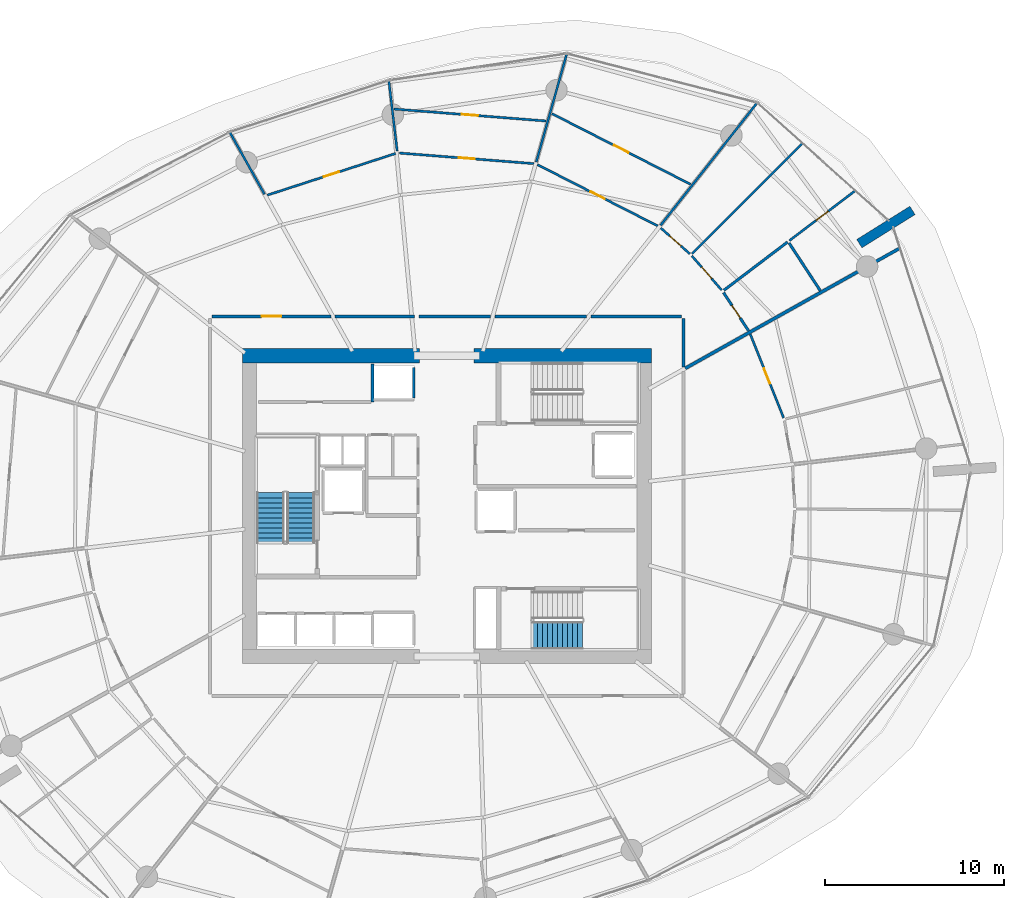
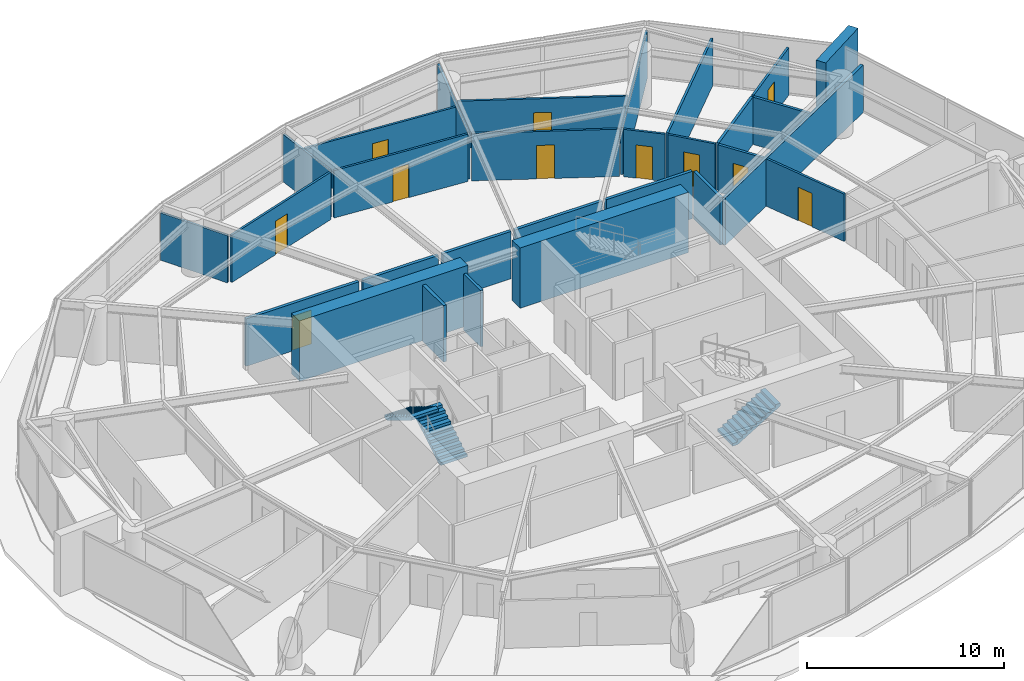
# One storey, part 15 of 17: 29 walls, 11 doors, 3 stair flights, 11 openings, 2 elements without a shape of their own.
"""IFC4 building model written with IfcOpenShell, lengths in metres."""

from ifc_helpers import new_model, si_unit, direction, frame, frame_2d, origin, place, context, subcontext, project, spatial, polyline, rectangle, outline, extrude, material, layer, layer_set, type_object, element, fill, aggregate, save


model = new_model("IFC4")

# Units and contexts
model_context = context("Model", 3, precision=1e-05, world=origin(), true_north=direction((0.0, 1.0)))
body_context = subcontext(model_context, "Body", "Model", "MODEL_VIEW")
ifc_project = project(units=[si_unit("LENGTHUNIT", "METRE"), si_unit("AREAUNIT", "SQUARE_METRE"), si_unit("VOLUMEUNIT", "CUBIC_METRE"), si_unit("PLANEANGLEUNIT", "RADIAN"), si_unit("MASSUNIT", "GRAM", prefix="KILO")], contexts=[model_context])

# Site, building, storey
site_placement = place(None, origin())
site = spatial("IfcSite", under=ifc_project, at=site_placement, CompositionType="ELEMENT")
building_placement = place(site_placement, origin())
building = spatial("IfcBuilding", under=site, at=building_placement, Name="Kazma Halo Residences", CompositionType="ELEMENT")
storey_placement = place(building_placement, frame((0.0, 0.0, 75.14990234375)))
storey = spatial("IfcBuildingStorey", under=building, at=storey_placement, Name="L18", CompositionType="ELEMENT", Elevation=75.14990234375)

# Walls
ifc_material_1 = material(Name="Pale Concrete C60/75", Category="concrete")
ifc_layer_1 = layer(ifc_material_1, 0.550048828125)
ifc_layer_set_1 = layer_set([ifc_layer_1], Name="Pale Concrete C60/75")
wall_type_1 = type_object("IfcWallType", Name="WL-BLADE-550", PredefinedType="SOLIDWALL", material=ifc_layer_set_1)
wall_1_placement = place(storey_placement, frame((71.468505859375, 56.664794921875, 0.0), z_axis=(0.0, 0.0, 1.0), x_axis=(0.848053161125, 0.529911158502, 0.0)))
element("IfcWall", 1, at=wall_1_placement, inside=storey, type_object=wall_type_1, Name="L18 pale concrete structural blade fin wall BW-01", PredefinedType="SOLIDWALL", context=body_context, shape_type="SweptSolid", body=[
    extrude(rectangle(XDim=3.5, YDim=0.550048828125, at=frame_2d((1.75, 0.0))), origin(), (0.0, 0.0, 1.0), 3.75),
])
ifc_material_2 = material(Name="Concrete C80/95", Category="concrete")
ifc_layer_2 = layer(ifc_material_2, 0.800048828125)
ifc_layer_set_2 = layer_set([ifc_layer_2], Name="Concrete C80/95")
wall_type_2 = type_object("IfcWallType", Name="WL-CORE-800", PredefinedType="SHEAR", material=ifc_layer_set_2)
wall_2_placement = place(storey_placement, frame((37.0, 50.39990234375, 0.0), z_axis=(0.0, 0.0, 1.0), x_axis=(1.0, 0.0, 0.0)))
element("IfcWall", 2, at=wall_2_placement, inside=storey, type_object=wall_type_2, Name="L18 central core shear wall NW", PredefinedType="SHEAR", context=body_context, shape_type="SweptSolid", body=[
    extrude(rectangle(XDim=9.89990234375, YDim=0.800048828125, at=frame_2d((4.949951171875, 0.0))), origin(), (0.0, 0.0, 1.0), 3.75),
])
wall_3_placement = place(storey_placement, frame((49.949951171875, 50.39990234375, 0.0), z_axis=(0.0, 0.0, 1.0), x_axis=(1.0, 0.0, 0.0)))
element("IfcWall", 3, at=wall_3_placement, inside=storey, type_object=wall_type_2, Name="L18 central core shear wall NE", PredefinedType="SHEAR", context=body_context, shape_type="SweptSolid", body=[
    extrude(rectangle(XDim=9.900146484375, YDim=0.800048828125, at=frame_2d((4.9501953125, 0.0))), origin(), (0.0, 0.0, 1.0), 3.75),
])
ifc_material_3 = material(Name="Acoustic Twin-Stud Gypsum")
ifc_layer_3 = layer(ifc_material_3, 0.179931640625)
ifc_layer_set_3 = layer_set([ifc_layer_3], Name="Acoustic Twin-Stud Gypsum")
wall_type_3 = type_object("IfcWallType", Name="WL-DEM-180", PredefinedType="PARTITIONING", material=ifc_layer_set_3)
wall_4_placement = place(storey_placement, frame((61.74609375, 49.697998046875, 0.0), z_axis=(0.0, 0.0, 1.0), x_axis=(0.872489938668, 0.488632077256, 0.0)))
element("IfcWall", 4, at=wall_4_placement, inside=storey, type_object=wall_type_3, Name="L18 apartment demising radial wall 00", PredefinedType="PARTITIONING", context=body_context, shape_type="SweptSolid", body=[
    extrude(rectangle(XDim=13.724609375, YDim=0.179931640625, at=frame_2d((6.8623046875, 0.0))), origin(), (0.0, 0.0, 1.0), 2.940185546875),
])

# Wall, opening, door
wall_5_placement = place(storey_placement, frame((41.943603515625, 52.60009765625, 0.0), z_axis=(0.0, 0.0, 1.0), x_axis=(-1.0, 0.0, 0.0)))
wall_5 = element("IfcWall", 5, at=wall_5_placement, inside=storey, type_object=wall_type_3, Name="L18 Apartment 1 entrance corridor wall", PredefinedType="PARTITIONING", context=body_context, shape_type="SweptSolid", body=[
    extrude(rectangle(XDim=6.62353515625, YDim=0.179931640625, at=frame_2d((3.311767578125, 0.0))), origin(), (0.0, 0.0, 1.0), 2.940185546875),
])
opening_1_placement = place(wall_5_placement, frame((2.76171875, 0.0, 0.0)))
opening_1 = element("IfcOpeningElement", 6, at=opening_1_placement, cuts=wall_5, Name="Opening DA-1100", PredefinedType="OPENING", context=body_context, shape_type="SweptSolid", body=[
    extrude(rectangle(XDim=1.10009765625, YDim=2.10009765625, at=frame_2d((0.550048828125, 1.050048828125))), frame((0.0, 0.099853515625, 0.0), z_axis=(0.0, -1.0, 0.0), x_axis=(1.0, 0.0, 0.0)), (0.0, 0.0, 1.0), 0.199951171875),
])
ifc_material_4 = material(Name="Acoustic Walnut Fire Leaf")
door_type_1 = type_object("IfcDoorType", Name="DR-FD60-1100", OperationType="NOTDEFINED", PredefinedType="DOOR", material=ifc_material_4)
door_1_placement = place(opening_1_placement, origin())
door_1 = element("IfcDoor", 7, at=door_1_placement, inside=storey, type_object=door_type_1, Name="L18 Apartment 1 entrance fire door", OperationType="SINGLE_SWING_RIGHT", OverallHeight=2.10009765625, OverallWidth=1.10009765625, PredefinedType="DOOR", context=body_context, shape_type="SweptSolid", body=[
    extrude(rectangle(XDim=1.10009765625, YDim=2.10009765625, at=frame_2d((0.550048828125, 1.050048828125))), frame((0.0, 0.02490234375, 0.0), z_axis=(0.0, -1.0, 0.0), x_axis=(1.0, 0.0, 0.0)), (0.0, 0.0, 1.0), 0.050048828125),
])
fill(opening_1, door_1)

# Walls
wall_6_placement = place(storey_placement, frame((61.64990234375, 49.764404296875, 0.0), z_axis=(0.0, 0.0, 1.0), x_axis=(0.0, 1.0, 0.0)))
element("IfcWall", 8, at=wall_6_placement, inside=storey, type_object=wall_type_3, Name="L18 Apartment 1 inner wall 0", PredefinedType="PARTITIONING", context=body_context, shape_type="SweptSolid", body=[
    extrude(rectangle(XDim=2.715576171875, YDim=0.179931640625, at=frame_2d((1.35791015625, 0.0))), origin(), (0.0, 0.0, 1.0), 2.940185546875),
])
wall_7_placement = place(storey_placement, frame((61.530029296875, 52.60009765625, 0.0), z_axis=(0.0, 0.0, 1.0), x_axis=(-1.0, 0.0, 0.0)))
element("IfcWall", 9, at=wall_7_placement, inside=storey, type_object=wall_type_3, Name="L18 Apartment 1 inner wall 0", PredefinedType="PARTITIONING", context=body_context, shape_type="SweptSolid", body=[
    extrude(rectangle(XDim=5.0537109375, YDim=0.179931640625, at=frame_2d((2.52685546875, 0.0))), origin(), (0.0, 0.0, 1.0), 2.940185546875),
])
wall_8_placement = place(storey_placement, frame((56.236328125, 52.60009765625, 0.0), z_axis=(0.0, 0.0, 1.0), x_axis=(-1.0, 0.0, 0.0)))
element("IfcWall", 10, at=wall_8_placement, inside=storey, type_object=wall_type_3, Name="L18 Apartment 1 inner wall 1", PredefinedType="PARTITIONING", context=body_context, shape_type="SweptSolid", body=[
    extrude(rectangle(XDim=5.126708984375, YDim=0.179931640625, at=frame_2d((2.5634765625, 0.0))), origin(), (0.0, 0.0, 1.0), 2.940185546875),
])
wall_9_placement = place(storey_placement, frame((50.869384765625, 52.60009765625, 0.0), z_axis=(0.0, 0.0, 1.0), x_axis=(-1.0, 0.0, 0.0)))
element("IfcWall", 11, at=wall_9_placement, inside=storey, type_object=wall_type_3, Name="L18 Apartment 1 inner wall 2", PredefinedType="PARTITIONING", context=body_context, shape_type="SweptSolid", body=[
    extrude(rectangle(XDim=4.00390625, YDim=0.179931640625, at=frame_2d((2.001953125, 0.0))), origin(), (0.0, 0.0, 1.0), 2.940185546875),
])
wall_10_placement = place(storey_placement, frame((46.62548828125, 52.60009765625, 0.0), z_axis=(0.0, 0.0, 1.0), x_axis=(-1.0, 0.0, 0.0)))
element("IfcWall", 12, at=wall_10_placement, inside=storey, type_object=wall_type_3, Name="L18 Apartment 1 inner wall 3", PredefinedType="PARTITIONING", context=body_context, shape_type="SweptSolid", body=[
    extrude(rectangle(XDim=4.44189453125, YDim=0.179931640625, at=frame_2d((2.220947265625, 0.0))), origin(), (0.0, 0.0, 1.0), 2.940185546875),
])
ifc_material_5 = material(Name="Fire-Rated Blockwork Masonry", Category="masonry")
ifc_layer_4 = layer(ifc_material_5, 0.199951171875)
ifc_layer_set_4 = layer_set([ifc_layer_4], Name="Fire-Rated Blockwork Masonry")
wall_type_4 = type_object("IfcWallType", Name="WL-FLB-200", PredefinedType="PARTITIONING", material=ifc_layer_set_4)
wall_11_placement = place(storey_placement, frame((46.580078125, 48.044921875, 0.0), z_axis=(0.0, 0.0, 1.0), x_axis=(0.0, 1.0, 0.0)))
element("IfcWall", 13, at=wall_11_placement, inside=storey, type_object=wall_type_4, Name="L18 lift shaft PX-01 side wall E", PredefinedType="PARTITIONING", context=body_context, shape_type="SweptSolid", body=[
    extrude(rectangle(XDim=1.7099609375, YDim=0.159912109375, at=frame_2d((0.85498046875, 0.0))), origin(), (0.0, 0.0, 1.0), 3.5),
])
wall_12_placement = place(storey_placement, frame((44.280029296875, 47.820068359375, 0.0), z_axis=(0.0, 0.0, 1.0), x_axis=(0.0, 1.0, 0.0)))
element("IfcWall", 14, at=wall_12_placement, inside=storey, type_object=wall_type_4, Name="L18 PX-01 hoistway west wall", PredefinedType="PARTITIONING", context=body_context, shape_type="SweptSolid", body=[
    extrude(rectangle(XDim=2.1298828125, YDim=0.179931640625, at=frame_2d((1.06494140625, 0.0))), origin(), (0.0, 0.0, 1.0), 3.5),
])

# Wall, opening, door
ifc_material_6 = material(Name="Gypsum Plasterboard Partition")
ifc_layer_5 = layer(ifc_material_6, 0.125)
ifc_layer_set_5 = layer_set([ifc_layer_5], Name="Gypsum Plasterboard Partition")
wall_type_5 = type_object("IfcWallType", Name="WL-PART-125", PredefinedType="PARTITIONING", material=ifc_layer_set_5)
wall_13_placement = place(storey_placement, frame((67.564208984375, 56.833984375, 0.0), z_axis=(0.0, 0.0, 1.0), x_axis=(0.796836075133, 0.604195555567, 0.0)))
wall_13 = element("IfcWall", 15, at=wall_13_placement, inside=storey, type_object=wall_type_5, Name="L18 Apartment 1 Household Store Room partition wall", PredefinedType="PARTITIONING", context=body_context, shape_type="SweptSolid", body=[
    extrude(rectangle(XDim=4.59033203125, YDim=0.125, at=frame_2d((2.295166015625, 0.0))), origin(), (0.0, 0.0, 1.0), 2.940185546875),
])
opening_2_placement = place(wall_13_placement, frame((1.8701171875, 0.0, 0.0)))
opening_2 = element("IfcOpeningElement", 16, at=opening_2_placement, cuts=wall_13, Name="Opening DB-900", PredefinedType="OPENING", context=body_context, shape_type="SweptSolid", body=[
    extrude(rectangle(XDim=0.85009765625, YDim=2.06005859375, at=frame_2d((0.425048828125, 1.030029296875))), frame((0.0, 0.072509765625, 0.0), z_axis=(0.0, -1.0, 0.0), x_axis=(1.0, 0.0, 0.0)), (0.0, 0.0, 1.0), 0.14501953125),
])
ifc_material_7 = material(Name="Moisture-Sealed Timber Leaf", Category="wood")
door_type_2 = type_object("IfcDoorType", Name="DR-BTH-900", OperationType="NOTDEFINED", PredefinedType="DOOR", material=ifc_material_7)
door_2_placement = place(opening_2_placement, origin())
door_2 = element("IfcDoor", 17, at=door_2_placement, inside=storey, type_object=door_type_2, Name="L18 Apartment 1 Household Store Room door", OperationType="SINGLE_SWING_RIGHT", OverallHeight=2.06005859375, OverallWidth=0.85009765625, PredefinedType="DOOR", context=body_context, shape_type="SweptSolid", body=[
    extrude(rectangle(XDim=0.85009765625, YDim=2.06005859375, at=frame_2d((0.425048828125, 1.030029296875))), frame((0.0, 0.02490234375, 0.0), z_axis=(0.0, -1.0, 0.0), x_axis=(1.0, 0.0, 0.0)), (0.0, 0.0, 1.0), 0.050048828125),
])
fill(opening_2, door_2)

# Wall
wall_14_placement = place(storey_placement, frame((62.12255859375, 56.10791015625, 0.0), z_axis=(0.0, 0.0, 1.0), x_axis=(0.707471753943, 0.706741619953, 0.0)))
element("IfcWall", 18, at=wall_14_placement, inside=storey, type_object=wall_type_5, Name="L18 Apartment 1 suite divider 0", PredefinedType="PARTITIONING", context=body_context, shape_type="SweptSolid", body=[
    extrude(rectangle(XDim=8.69384765625, YDim=0.125, at=frame_2d((4.346923828125, 0.0))), origin(), (0.0, 0.0, 1.0), 2.940185546875),
])

# Wall, opening, door
wall_15_placement = place(storey_placement, frame((63.77587890625, 54.07421875, 0.0), z_axis=(0.0, 0.0, 1.0), x_axis=(-0.657015843491, 0.753876768048, 0.0)))
wall_15 = element("IfcWall", 19, at=wall_15_placement, inside=storey, type_object=wall_type_5, Name="L18 Apartment 1 Gourmet Kitchen hall wall", PredefinedType="PARTITIONING", context=body_context, shape_type="SweptSolid", body=[
    extrude(rectangle(XDim=2.533203125, YDim=0.125, at=frame_2d((1.2666015625, 0.0))), origin(), (0.0, 0.0, 1.0), 2.940185546875),
])
opening_3_placement = place(wall_15_placement, frame((0.841552734375, 0.0, 0.0)))
opening_3 = element("IfcOpeningElement", 20, at=opening_3_placement, cuts=wall_15, Name="Opening DB-900", PredefinedType="OPENING", context=body_context, shape_type="SweptSolid", body=[
    extrude(rectangle(XDim=0.85009765625, YDim=2.06005859375, at=frame_2d((0.425048828125, 1.030029296875))), frame((0.0, 0.072509765625, 0.0), z_axis=(0.0, -1.0, 0.0), x_axis=(1.0, 0.0, 0.0)), (0.0, 0.0, 1.0), 0.14501953125),
])
door_3_placement = place(opening_3_placement, origin())
door_3 = element("IfcDoor", 21, at=door_3_placement, inside=storey, type_object=door_type_2, Name="L18 Apartment 1 Gourmet Kitchen door", OperationType="SINGLE_SWING_LEFT", OverallHeight=2.06005859375, OverallWidth=0.85009765625, PredefinedType="DOOR", context=body_context, shape_type="SweptSolid", body=[
    extrude(rectangle(XDim=0.85009765625, YDim=2.06005859375, at=frame_2d((0.425048828125, 1.030029296875))), frame((0.0, 0.02490234375, 0.0), z_axis=(0.0, -1.0, 0.0), x_axis=(1.0, 0.0, 0.0)), (0.0, 0.0, 1.0), 0.050048828125),
])
fill(opening_3, door_3)

wall_16_placement = place(storey_placement, frame((61.9990234375, 56.097412109375, 0.0), z_axis=(0.0, 0.0, 1.0), x_axis=(-0.747347245647, 0.664433664427, 0.0)))
wall_16 = element("IfcWall", 22, at=wall_16_placement, inside=storey, type_object=wall_type_5, Name="L18 Apartment 1 Primary Bedroom hall wall", PredefinedType="PARTITIONING", context=body_context, shape_type="SweptSolid", body=[
    extrude(rectangle(XDim=2.170166015625, YDim=0.125, at=frame_2d((1.0849609375, 0.0))), origin(), (0.0, 0.0, 1.0), 2.940185546875),
])
opening_4_placement = place(wall_16_placement, frame((0.659912109375, 0.0, 0.0)))
opening_4 = element("IfcOpeningElement", 23, at=opening_4_placement, cuts=wall_16, Name="Opening DB-900", PredefinedType="OPENING", context=body_context, shape_type="SweptSolid", body=[
    extrude(rectangle(XDim=0.85009765625, YDim=2.06005859375, at=frame_2d((0.425048828125, 1.030029296875))), frame((0.0, 0.072509765625, 0.0), z_axis=(0.0, -1.0, 0.0), x_axis=(1.0, 0.0, 0.0)), (0.0, 0.0, 1.0), 0.14501953125),
])
door_4_placement = place(opening_4_placement, origin())
door_4 = element("IfcDoor", 24, at=door_4_placement, inside=storey, type_object=door_type_2, Name="L18 Apartment 1 Primary Bedroom door", OperationType="SINGLE_SWING_RIGHT", OverallHeight=2.06005859375, OverallWidth=0.85009765625, PredefinedType="DOOR", context=body_context, shape_type="SweptSolid", body=[
    extrude(rectangle(XDim=0.85009765625, YDim=2.06005859375, at=frame_2d((0.425048828125, 1.030029296875))), frame((0.0, 0.02490234375, 0.0), z_axis=(0.0, -1.0, 0.0), x_axis=(1.0, 0.0, 0.0)), (0.0, 0.0, 1.0), 0.050048828125),
])
fill(opening_4, door_4)

# Wall
wall_17_placement = place(storey_placement, frame((60.364501953125, 57.684326171875, 0.0), z_axis=(0.0, 0.0, 1.0), x_axis=(0.619089966413, 0.785320070727, 0.0)))
element("IfcWall", 25, at=wall_17_placement, inside=storey, type_object=wall_type_5, Name="L18 Apartment 1 radial partition 1", PredefinedType="PARTITIONING", context=body_context, shape_type="SweptSolid", body=[
    extrude(rectangle(XDim=8.698974609375, YDim=0.125, at=frame_2d((4.349609375, 0.0))), origin(), (0.0, 0.0, 1.0), 2.940185546875),
])

# Wall, opening, door
wall_18_placement = place(storey_placement, frame((60.20458984375, 57.65576171875, 0.0), z_axis=(0.0, 0.0, 1.0), x_axis=(-0.891005117697, 0.453993260123, 0.0)))
wall_18 = element("IfcWall", 26, at=wall_18_placement, inside=storey, type_object=wall_type_5, Name="L18 Apartment 1 East Study hall wall", PredefinedType="PARTITIONING", context=body_context, shape_type="SweptSolid", body=[
    extrude(rectangle(XDim=7.533447265625, YDim=0.125, at=frame_2d((3.7666015625, 0.0))), origin(), (0.0, 0.0, 1.0), 2.940185546875),
])
opening_5_placement = place(wall_18_placement, frame((3.31689453125, 0.0, 0.0)))
opening_5 = element("IfcOpeningElement", 27, at=opening_5_placement, cuts=wall_18, Name="Opening DI-950", PredefinedType="OPENING", context=body_context, shape_type="SweptSolid", body=[
    extrude(rectangle(XDim=0.89990234375, YDim=2.080078125, at=frame_2d((0.449951171875, 1.0400390625))), frame((0.0, 0.072509765625, 0.0), z_axis=(0.0, -1.0, 0.0), x_axis=(1.0, 0.0, 0.0)), (0.0, 0.0, 1.0), 0.14501953125),
])
ifc_material_8 = material(Name="Timber Veneer Flush Leaf", Category="wood")
door_type_3 = type_object("IfcDoorType", Name="DR-INT-950", OperationType="NOTDEFINED", PredefinedType="DOOR", material=ifc_material_8)
door_5_placement = place(opening_5_placement, origin())
door_5 = element("IfcDoor", 28, at=door_5_placement, inside=storey, type_object=door_type_3, Name="L18 Apartment 1 East Study door", OperationType="SINGLE_SWING_RIGHT", OverallHeight=2.080078125, OverallWidth=0.89990234375, PredefinedType="DOOR", context=body_context, shape_type="SweptSolid", body=[
    extrude(rectangle(XDim=0.89990234375, YDim=2.080078125, at=frame_2d((0.449951171875, 1.0400390625))), frame((0.0, 0.02490234375, 0.0), z_axis=(0.0, -1.0, 0.0), x_axis=(1.0, 0.0, 0.0)), (0.0, 0.0, 1.0), 0.050048828125),
])
fill(opening_5, door_5)

wall_19_placement = place(storey_placement, frame((62.037841796875, 59.98095703125, 0.0), z_axis=(0.0, 0.0, 1.0), x_axis=(-0.891001540604, 0.454000280442, 0.0)))
wall_19 = element("IfcWall", 29, at=wall_19_placement, inside=storey, type_object=wall_type_5, Name="L18 Apartment 1 West Master Bedroom divider wall", PredefinedType="PARTITIONING", context=body_context, shape_type="SweptSolid", body=[
    extrude(rectangle(XDim=8.68896484375, YDim=0.125, at=frame_2d((4.344482421875, 0.0))), origin(), (0.0, 0.0, 1.0), 2.940185546875),
])
opening_6_placement = place(wall_19_placement, frame((3.89453125, 0.0, 0.0)))
opening_6 = element("IfcOpeningElement", 30, at=opening_6_placement, cuts=wall_19, Name="Opening DI-950", PredefinedType="OPENING", context=body_context, shape_type="SweptSolid", body=[
    extrude(rectangle(XDim=0.89990234375, YDim=2.080078125, at=frame_2d((0.449951171875, 1.0400390625))), frame((0.0, 0.072509765625, 0.0), z_axis=(0.0, -1.0, 0.0), x_axis=(1.0, 0.0, 0.0)), (0.0, 0.0, 1.0), 0.14501953125),
])
door_6_placement = place(opening_6_placement, origin())
door_6 = element("IfcDoor", 31, at=door_6_placement, inside=storey, type_object=door_type_3, Name="L18 Apartment 1 West Master Bedroom door", OperationType="SINGLE_SWING_LEFT", OverallHeight=2.080078125, OverallWidth=0.89990234375, PredefinedType="DOOR", context=body_context, shape_type="SweptSolid", body=[
    extrude(rectangle(XDim=0.89990234375, YDim=2.080078125, at=frame_2d((0.449951171875, 1.0400390625))), frame((0.0, 0.02490234375, 0.0), z_axis=(0.0, -1.0, 0.0), x_axis=(1.0, 0.0, 0.0)), (0.0, 0.0, 1.0), 0.050048828125),
])
fill(opening_6, door_6)

# Wall
wall_20_placement = place(storey_placement, frame((53.421142578125, 61.22216796875, 0.0), z_axis=(0.0, 0.0, 1.0), x_axis=(0.271462015929, 0.962449153934, 0.0)))
element("IfcWall", 32, at=wall_20_placement, inside=storey, type_object=wall_type_5, Name="L18 Apartment 1 radial partition 2", PredefinedType="PARTITIONING", context=body_context, shape_type="SweptSolid", body=[
    extrude(rectangle(XDim=6.265869140625, YDim=0.125, at=frame_2d((3.1328125, 0.0))), origin(), (0.0, 0.0, 1.0), 2.940185546875),
])

# Wall, opening, door
wall_21_placement = place(storey_placement, frame((53.284423828125, 61.134521484375, 0.0), z_axis=(0.0, 0.0, 1.0), x_axis=(-0.99691758874, 0.078455855487, 0.0)))
wall_21 = element("IfcWall", 33, at=wall_21_placement, inside=storey, type_object=wall_type_5, Name="L18 Apartment 1 North Study hall wall", PredefinedType="PARTITIONING", context=body_context, shape_type="SweptSolid", body=[
    extrude(rectangle(XDim=7.53369140625, YDim=0.125, at=frame_2d((3.766845703125, 0.0))), origin(), (0.0, 0.0, 1.0), 2.940185546875),
])
opening_7_placement = place(wall_21_placement, frame((3.31689453125, 0.0, 0.0)))
opening_7 = element("IfcOpeningElement", 34, at=opening_7_placement, cuts=wall_21, Name="Opening DI-950", PredefinedType="OPENING", context=body_context, shape_type="SweptSolid", body=[
    extrude(rectangle(XDim=0.89990234375, YDim=2.080078125, at=frame_2d((0.449951171875, 1.0400390625))), frame((0.0, 0.072509765625, 0.0), z_axis=(0.0, -1.0, 0.0), x_axis=(1.0, 0.0, 0.0)), (0.0, 0.0, 1.0), 0.14501953125),
])
door_7_placement = place(opening_7_placement, origin())
door_7 = element("IfcDoor", 35, at=door_7_placement, inside=storey, type_object=door_type_3, Name="L18 Apartment 1 North Study door", OperationType="SINGLE_SWING_LEFT", OverallHeight=2.080078125, OverallWidth=0.89990234375, PredefinedType="DOOR", context=body_context, shape_type="SweptSolid", body=[
    extrude(rectangle(XDim=0.89990234375, YDim=2.080078125, at=frame_2d((0.449951171875, 1.0400390625))), frame((0.0, 0.02490234375, 0.0), z_axis=(0.0, -1.0, 0.0), x_axis=(1.0, 0.0, 0.0)), (0.0, 0.0, 1.0), 0.050048828125),
])
fill(opening_7, door_7)

wall_22_placement = place(storey_placement, frame((53.956298828125, 63.5166015625, 0.0), z_axis=(0.0, 0.0, 1.0), x_axis=(-0.996916033705, 0.078475612404, 0.0)))
wall_22 = element("IfcWall", 36, at=wall_22_placement, inside=storey, type_object=wall_type_5, Name="L18 Apartment 1 South Bedroom divider wall", PredefinedType="PARTITIONING", context=body_context, shape_type="SweptSolid", body=[
    extrude(rectangle(XDim=8.499267578125, YDim=0.125, at=frame_2d((4.24951171875, 0.0))), origin(), (0.0, 0.0, 1.0), 2.940185546875),
])
opening_8_placement = place(wall_22_placement, frame((3.7998046875, 0.0, 0.0)))
opening_8 = element("IfcOpeningElement", 37, at=opening_8_placement, cuts=wall_22, Name="Opening DI-950", PredefinedType="OPENING", context=body_context, shape_type="SweptSolid", body=[
    extrude(rectangle(XDim=0.89990234375, YDim=2.080078125, at=frame_2d((0.449951171875, 1.0400390625))), frame((0.0, 0.072509765625, 0.0), z_axis=(0.0, -1.0, 0.0), x_axis=(1.0, 0.0, 0.0)), (0.0, 0.0, 1.0), 0.14501953125),
])
door_8_placement = place(opening_8_placement, origin())
door_8 = element("IfcDoor", 38, at=door_8_placement, inside=storey, type_object=door_type_3, Name="L18 Apartment 1 South Bedroom door", OperationType="SINGLE_SWING_RIGHT", OverallHeight=2.080078125, OverallWidth=0.89990234375, PredefinedType="DOOR", context=body_context, shape_type="SweptSolid", body=[
    extrude(rectangle(XDim=0.89990234375, YDim=2.080078125, at=frame_2d((0.449951171875, 1.0400390625))), frame((0.0, 0.02490234375, 0.0), z_axis=(0.0, -1.0, 0.0), x_axis=(1.0, 0.0, 0.0)), (0.0, 0.0, 1.0), 0.050048828125),
])
fill(opening_8, door_8)

# Walls
for number, where, z_axis, x_axis, name in (
    (39, (45.652587890625, 61.83349609375, 0.0), (0.0, 0.0, 1.0), (-0.117544011215, 0.993067674143, 0.0), "L18 Apartment 1 radial partition 3"),
    (40, (38.2412109375, 59.425537109375, 0.0), (0.0, 0.0, 1.0), (-0.488599605157, 0.872508123653, 0.0), "L18 Apartment 1 living radial partition 3"),
):
    element("IfcWall", number, at=place(storey_placement, frame(where, z_axis=z_axis, x_axis=x_axis)), inside=storey, type_object=wall_type_5, Name=name, PredefinedType="PARTITIONING", context=body_context, shape_type="SweptSolid", body=[
        extrude(rectangle(XDim=3.950439453125, YDim=0.125, at=frame_2d((1.97509765625, 0.0))), origin(), (0.0, 0.0, 1.0), 2.940185546875),
    ])

# Wall, opening, door
wall_23_placement = place(storey_placement, frame((45.559814453125, 61.7001953125, 0.0), z_axis=(0.0, 0.0, 1.0), x_axis=(-0.951063594717, -0.308995208383, 0.0)))
wall_23 = element("IfcWall", 41, at=wall_23_placement, inside=storey, type_object=wall_type_5, Name="L18 Apartment 1 Inner Formal Dining Room gallery wall", PredefinedType="PARTITIONING", context=body_context, shape_type="SweptSolid", body=[
    extrude(rectangle(XDim=7.53369140625, YDim=0.125, at=frame_2d((3.766845703125, 0.0))), origin(), (0.0, 0.0, 1.0), 2.940185546875),
])
opening_9_placement = place(wall_23_placement, frame((3.31689453125, 0.0, 0.0)))
opening_9 = element("IfcOpeningElement", 42, at=opening_9_placement, cuts=wall_23, Name="Opening DI-950", PredefinedType="OPENING", context=body_context, shape_type="SweptSolid", body=[
    extrude(rectangle(XDim=0.89990234375, YDim=2.080078125, at=frame_2d((0.449951171875, 1.0400390625))), frame((0.0, 0.072509765625, 0.0), z_axis=(0.0, -1.0, 0.0), x_axis=(1.0, 0.0, 0.0)), (0.0, 0.0, 1.0), 0.14501953125),
])
door_9_placement = place(opening_9_placement, origin())
door_9 = element("IfcDoor", 43, at=door_9_placement, inside=storey, type_object=door_type_3, Name="L18 Apartment 1 Inner Formal Dining Room door", OperationType="SINGLE_SWING_RIGHT", OverallHeight=2.080078125, OverallWidth=0.89990234375, PredefinedType="DOOR", context=body_context, shape_type="SweptSolid", body=[
    extrude(rectangle(XDim=0.89990234375, YDim=2.080078125, at=frame_2d((0.449951171875, 1.0400390625))), frame((0.0, 0.02490234375, 0.0), z_axis=(0.0, -1.0, 0.0), x_axis=(1.0, 0.0, 0.0)), (0.0, 0.0, 1.0), 0.050048828125),
])
fill(opening_9, door_9)

wall_24_placement = place(storey_placement, frame((67.2412109375, 46.925537109375, 0.0), z_axis=(0.0, 0.0, 1.0), x_axis=(-0.369580809995, 0.929198592812, 0.0)))
wall_24 = element("IfcWall", 44, at=wall_24_placement, inside=storey, type_object=wall_type_5, Name="L18 Apartment 2 West Formal Dining Room hall wall", PredefinedType="PARTITIONING", context=body_context, shape_type="SweptSolid", body=[
    extrude(rectangle(XDim=5.048828125, YDim=0.125, at=frame_2d((2.5244140625, 0.0))), origin(), (0.0, 0.0, 1.0), 2.940185546875),
])
opening_10_placement = place(wall_24_placement, frame((2.074462890625, 0.0, 0.0)))
opening_10 = element("IfcOpeningElement", 45, at=opening_10_placement, cuts=wall_24, Name="Opening DI-950", PredefinedType="OPENING", context=body_context, shape_type="SweptSolid", body=[
    extrude(rectangle(XDim=0.89990234375, YDim=2.080078125, at=frame_2d((0.449951171875, 1.0400390625))), frame((0.0, 0.072509765625, 0.0), z_axis=(0.0, -1.0, 0.0), x_axis=(1.0, 0.0, 0.0)), (0.0, 0.0, 1.0), 0.14501953125),
])
door_10_placement = place(opening_10_placement, origin())
door_10 = element("IfcDoor", 46, at=door_10_placement, inside=storey, type_object=door_type_3, Name="L18 Apartment 2 West Formal Dining Room door", OperationType="SINGLE_SWING_LEFT", OverallHeight=2.080078125, OverallWidth=0.89990234375, PredefinedType="DOOR", context=body_context, shape_type="SweptSolid", body=[
    extrude(rectangle(XDim=0.89990234375, YDim=2.080078125, at=frame_2d((0.449951171875, 1.0400390625))), frame((0.0, 0.02490234375, 0.0), z_axis=(0.0, -1.0, 0.0), x_axis=(1.0, 0.0, 0.0)), (0.0, 0.0, 1.0), 0.050048828125),
])
fill(opening_10, door_10)

ifc_material_9 = material(Name="Moisture-Resistant Gypsum")
ifc_layer_6 = layer(ifc_material_9, 0.14990234375)
ifc_layer_set_6 = layer_set([ifc_layer_6], Name="Moisture-Resistant Gypsum")
wall_type_6 = type_object("IfcWallType", Name="WL-WET-150", PredefinedType="PARTITIONING", material=ifc_layer_set_6)
wall_25_placement = place(storey_placement, frame((65.283447265625, 51.793701171875, 0.0), z_axis=(0.0, 0.0, 1.0), x_axis=(-0.547733379914, 0.836652941505, 0.0)))
wall_25 = element("IfcWall", 47, at=wall_25_placement, inside=storey, type_object=wall_type_6, Name="L18 Apartment 1 Guest Bathroom hall wall", PredefinedType="PARTITIONING", context=body_context, shape_type="SweptSolid", body=[
    extrude(rectangle(XDim=2.554443359375, YDim=0.14990234375, at=frame_2d((1.27734375, 0.0))), origin(), (0.0, 0.0, 1.0), 2.940185546875),
])
opening_11_placement = place(wall_25_placement, frame((0.852294921875, 0.0, 0.0)))
opening_11 = element("IfcOpeningElement", 48, at=opening_11_placement, cuts=wall_25, Name="Opening DB-900", PredefinedType="OPENING", context=body_context, shape_type="SweptSolid", body=[
    extrude(rectangle(XDim=0.85009765625, YDim=2.06005859375, at=frame_2d((0.425048828125, 1.030029296875))), frame((0.0, 0.0849609375, 0.0), z_axis=(0.0, -1.0, 0.0), x_axis=(1.0, 0.0, 0.0)), (0.0, 0.0, 1.0), 0.169921875),
])
door_11_placement = place(opening_11_placement, origin())
door_11 = element("IfcDoor", 49, at=door_11_placement, inside=storey, type_object=door_type_2, Name="L18 Apartment 1 Guest Bathroom door", OperationType="SINGLE_SWING_LEFT", OverallHeight=2.06005859375, OverallWidth=0.85009765625, PredefinedType="DOOR", context=body_context, shape_type="SweptSolid", body=[
    extrude(rectangle(XDim=0.85009765625, YDim=2.06005859375, at=frame_2d((0.425048828125, 1.030029296875))), frame((0.0, 0.02490234375, 0.0), z_axis=(0.0, -1.0, 0.0), x_axis=(1.0, 0.0, 0.0)), (0.0, 0.0, 1.0), 0.050048828125),
])
fill(opening_11, door_11)

# Walls
wall_26_placement = place(storey_placement, frame((69.2880859375, 54.036376953125, 0.0), z_axis=(0.0, 0.0, 1.0), x_axis=(-0.547701082521, 0.836674084818, 0.0)))
element("IfcWall", 50, at=wall_26_placement, inside=storey, type_object=wall_type_6, Name="L18 Apartment 1 Guest Bathroom back wall", PredefinedType="PARTITIONING", context=body_context, shape_type="SweptSolid", body=[
    extrude(rectangle(XDim=3.1884765625, YDim=0.14990234375, at=frame_2d((1.59423828125, 0.0))), origin(), (0.0, 0.0, 1.0), 2.940185546875),
])
wall_27_placement = place(storey_placement, frame((63.906494140625, 54.060791015625, 0.0), z_axis=(0.0, 0.0, 1.0), x_axis=(0.796875731809, 0.604143251269, 0.0)))
element("IfcWall", 51, at=wall_27_placement, inside=storey, type_object=wall_type_6, Name="L18 Apartment 1 Guest Bathroom side wall", PredefinedType="PARTITIONING", context=body_context, shape_type="SweptSolid", body=[
    extrude(rectangle(XDim=4.460205078125, YDim=0.14990234375, at=frame_2d((2.22998046875, 0.0))), origin(), (0.0, 0.0, 1.0), 2.940185546875),
])

# Stair, stair flights
ifc_material_10 = material(Name="Concrete C50/60", Category="concrete")
stair_type = type_object("IfcStairType", Name="STR-RES1", PredefinedType="HALF_TURN_STAIR", material=ifc_material_10)
stair_1_placement = place(storey_placement, origin())
stair_1 = element("IfcStair", 52, at=stair_1_placement, inside=storey, type_object=stair_type, Name="L18 Core exit stair ST-01", PredefinedType="HALF_TURN_STAIR")
stair_flight_type = type_object("IfcStairFlightType", Name="STR-RES1-FLT", PredefinedType="STRAIGHT", material=ifc_material_10)
stair_flight_1_placement = place(storey_placement, frame((40.27490234375, 39.949951171875, 0.0), z_axis=(0.0, 0.0, 1.0), x_axis=(0.0, 1.0, 0.0)))
stair_flight_1 = element("IfcStairFlight", 53, at=stair_flight_1_placement, type_object=stair_flight_type, Name="ST-01 flight 1", NumberOfRisers=11, NumberOfTreads=10, PredefinedType="STRAIGHT", RiserHeight=0.170454545, TreadLength=0.28, context=body_context, shape_type="SweptSolid", body=[
    extrude(outline(polyline([(0.0, 0.0), (0.0, 0.17041015625), (0.280029296875, 0.17041015625), (0.280029296875, 0.3408203125), (0.56005859375, 0.3408203125), (0.56005859375, 0.511474609375), (0.840087890625, 0.511474609375), (0.840087890625, 0.681884765625), (1.1201171875, 0.681884765625), (1.1201171875, 0.852294921875), (1.39990234375, 0.852294921875), (1.39990234375, 1.022705078125), (1.679931640625, 1.022705078125), (1.679931640625, 1.193115234375), (1.9599609375, 1.193115234375), (1.9599609375, 1.363525390625), (2.239990234375, 1.363525390625), (2.239990234375, 1.5341796875), (2.52001953125, 1.5341796875), (2.52001953125, 1.70458984375), (2.800048828125, 1.70458984375), (2.800048828125, 1.875), (2.800048828125, 1.529052734375), (0.288330078125, 0.0), (0.0, 0.0)])), frame((0.0, 0.77490234375, 0.0), z_axis=(0.0, -1.0, 0.0), x_axis=(1.0, 0.0, 0.0)), (0.0, 0.0, 1.0), 1.550048828125),
])
stair_flight_2_placement = place(storey_placement, frame((38.574951171875, 42.75, 1.875), z_axis=(0.0, 0.0, 1.0), x_axis=(0.0, -1.0, 0.0)))
stair_flight_2 = element("IfcStairFlight", 54, at=stair_flight_2_placement, type_object=stair_flight_type, Name="ST-01 flight 2", NumberOfRisers=11, NumberOfTreads=10, PredefinedType="STRAIGHT", RiserHeight=0.170454545, TreadLength=0.28, context=body_context, shape_type="SweptSolid", body=[
    extrude(outline(polyline([(0.0, 0.0), (0.0, 0.17041015625), (0.280029296875, 0.17041015625), (0.280029296875, 0.3408203125), (0.56005859375, 0.3408203125), (0.56005859375, 0.511474609375), (0.840087890625, 0.511474609375), (0.840087890625, 0.681884765625), (1.1201171875, 0.681884765625), (1.1201171875, 0.852294921875), (1.39990234375, 0.852294921875), (1.39990234375, 1.022705078125), (1.679931640625, 1.022705078125), (1.679931640625, 1.193115234375), (1.9599609375, 1.193115234375), (1.9599609375, 1.363525390625), (2.239990234375, 1.363525390625), (2.239990234375, 1.5341796875), (2.52001953125, 1.5341796875), (2.52001953125, 1.70458984375), (2.800048828125, 1.70458984375), (2.800048828125, 1.875), (2.800048828125, 1.529052734375), (0.288330078125, 0.0), (0.0, 0.0)])), frame((0.0, 0.77490234375, 0.0), z_axis=(0.0, -1.0, 0.0), x_axis=(1.0, 0.0, 0.0)), (0.0, 0.0, 1.0), 1.550048828125),
])
aggregate(stair_1, [stair_flight_1, stair_flight_2])

# Stair, stair flight
stair_2_placement = place(storey_placement, origin())
stair_2 = element("IfcStair", 55, at=stair_2_placement, inside=storey, type_object=stair_type, Name="L18 Core exit stair ST-03", PredefinedType="HALF_TURN_STAIR")
stair_flight_3_placement = place(storey_placement, frame((53.199951171875, 34.77490234375, 0.0), z_axis=(0.0, 0.0, 1.0), x_axis=(1.0, 0.0, 0.0)))
stair_flight_3 = element("IfcStairFlight", 56, at=stair_flight_3_placement, type_object=stair_flight_type, Name="ST-03 flight 1", NumberOfRisers=11, NumberOfTreads=10, PredefinedType="STRAIGHT", RiserHeight=0.170454545, TreadLength=0.28, context=body_context, shape_type="SweptSolid", body=[
    extrude(outline(polyline([(0.0, 0.0), (0.0, 0.17041015625), (0.280029296875, 0.17041015625), (0.280029296875, 0.3408203125), (0.56005859375, 0.3408203125), (0.56005859375, 0.511474609375), (0.840087890625, 0.511474609375), (0.840087890625, 0.681884765625), (1.1201171875, 0.681884765625), (1.1201171875, 0.852294921875), (1.39990234375, 0.852294921875), (1.39990234375, 1.022705078125), (1.679931640625, 1.022705078125), (1.679931640625, 1.193115234375), (1.9599609375, 1.193115234375), (1.9599609375, 1.363525390625), (2.239990234375, 1.363525390625), (2.239990234375, 1.5341796875), (2.52001953125, 1.5341796875), (2.52001953125, 1.70458984375), (2.800048828125, 1.70458984375), (2.800048828125, 1.875), (2.800048828125, 1.529052734375), (0.288330078125, 0.0), (0.0, 0.0)])), frame((0.0, 0.77490234375, 0.0), z_axis=(0.0, -1.0, 0.0), x_axis=(1.0, 0.0, 0.0)), (0.0, 0.0, 1.0), 1.550048828125),
])
aggregate(stair_2, [stair_flight_3])

save(model, "model.ifc")
